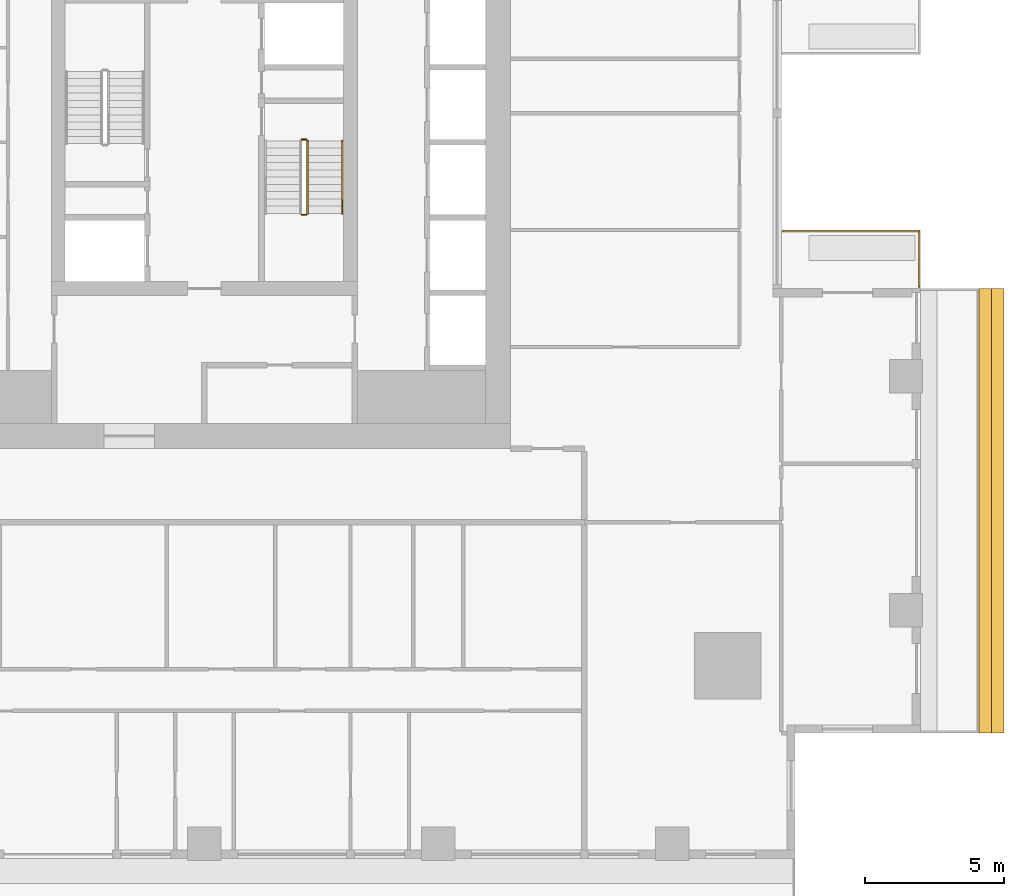
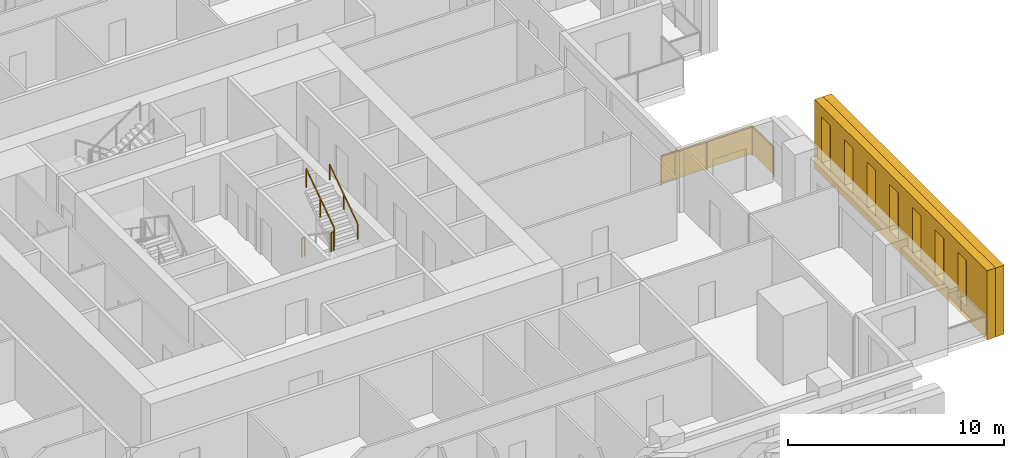
# One storey, part 13 of 15: 5 railings, 2 shading devices.
"""IFC4 building model written with IfcOpenShell, lengths in metres."""

from ifc_helpers import new_model, si_unit, direction, frame, origin, origin_2d, place, context, subcontext, project, spatial, polyline, rectangle, outline, extrude, material, type_object, element, save


model = new_model("IFC4")

# Units and contexts
model_context = context("Model", 3, precision=1e-05, world=origin(), true_north=direction((0.0, 1.0)))
body_context = subcontext(model_context, "Body", "Model", "MODEL_VIEW")
ifc_project = project(units=[si_unit("LENGTHUNIT", "METRE"), si_unit("AREAUNIT", "SQUARE_METRE"), si_unit("VOLUMEUNIT", "CUBIC_METRE"), si_unit("PLANEANGLEUNIT", "RADIAN"), si_unit("MASSUNIT", "GRAM", prefix="KILO")], contexts=[model_context])

# Site, building, storey
site_placement = place(None, origin())
site = spatial("IfcSite", under=ifc_project, at=site_placement, CompositionType="ELEMENT")
building_placement = place(site_placement, origin())
building = spatial("IfcBuilding", under=site, at=building_placement, Name="Khepri Terraces", CompositionType="ELEMENT")
storey_placement = place(building_placement, frame((0.0, 0.0, 196.199951171875)))
storey = spatial("IfcBuildingStorey", under=building, at=storey_placement, Name="L46", CompositionType="ELEMENT", Elevation=196.199951171875)

# Railings
ifc_material_1 = material(Name="Stainless steel grade 316", Category="steel")
railing_type_1 = type_object("IfcRailingType", Name="GRD-TERR-1700", PredefinedType="GUARDRAIL", material=ifc_material_1)
railing_1_placement = place(storey_placement, frame((20.7900390625, -3.199951171875, 0.0)))
element("IfcRailing", 1, at=railing_1_placement, inside=storey, type_object=railing_type_1, Name="Terrace guard L46", PredefinedType="GUARDRAIL", context=body_context, shape_type="SweptSolid", body=[
    extrude(rectangle(XDim=0.050048828125, YDim=0.06005859375, at=origin_2d()), frame((0.0, 0.0, 1.669921875), z_axis=(1.0, 0.0, 0.0), x_axis=(0.0, 1.0, 0.0)), (0.0, 0.0, 1.0), 4.8798828125),
    extrude(rectangle(XDim=2.389892578125, YDim=0.011962890625, at=origin_2d()), frame((1.219970703125, 0.0, 0.10009765625), z_axis=(0.0, 0.0, 1.0), x_axis=(1.0, 0.0, 0.0)), (0.0, 0.0, 1.0), 1.539794921875),
    extrude(rectangle(XDim=2.389892578125, YDim=0.011962890625, at=origin_2d()), frame((3.659912109375, 0.0, 0.10009765625), z_axis=(0.0, 0.0, 1.0), x_axis=(1.0, 0.0, 0.0)), (0.0, 0.0, 1.0), 1.539794921875),
    extrude(rectangle(XDim=0.050048828125, YDim=0.06005859375, at=origin_2d()), frame((4.8798828125, 0.0, 1.669921875), z_axis=(0.0, -1.0, 0.0), x_axis=(1.0, 0.0, 0.0)), (0.0, 0.0, 1.0), 1.97998046875),
    extrude(rectangle(XDim=1.929931640625, YDim=0.011962890625, at=origin_2d()), frame((4.8798828125, -0.989990234375, 0.10009765625), z_axis=(0.0, 0.0, 1.0), x_axis=(0.0, -1.0, 0.0)), (0.0, 0.0, 1.0), 1.539794921875),
    extrude(rectangle(XDim=0.050048828125, YDim=0.050048828125, at=origin_2d()), origin(), (0.0, 0.0, 1.0), 1.639892578125),
    extrude(rectangle(XDim=0.050048828125, YDim=0.050048828125, at=origin_2d()), frame((2.43994140625, 0.0, 0.0)), (0.0, 0.0, 1.0), 1.639892578125),
    extrude(rectangle(XDim=0.050048828125, YDim=0.050048828125, at=origin_2d()), frame((4.8798828125, 0.0, 0.0)), (0.0, 0.0, 1.0), 1.639892578125),
    extrude(rectangle(XDim=0.050048828125, YDim=0.050048828125, at=origin_2d()), frame((4.8798828125, -1.97998046875, 0.0)), (0.0, 0.0, 1.0), 1.639892578125),
])
ifc_material_2 = material(Name="Stainless steel 316", Category="steel")
railing_type_2 = type_object("IfcRailingType", Name="RL-CORE-GUARD", PredefinedType="GUARDRAIL", material=ifc_material_2)
railing_2_placement = place(storey_placement, frame((3.5, -2.60009765625, 1.949951171875)))
element("IfcRailing", 2, at=railing_2_placement, inside=storey, type_object=railing_type_2, Name="L46 ST-2 stair guard 2", PredefinedType="GUARDRAIL", context=body_context, shape_type="SweptSolid", body=[
    extrude(rectangle(XDim=0.050048828125, YDim=0.06005859375, at=origin_2d()), frame((0.0, 0.0, 1.070068359375), z_axis=(1.0, 0.0, 0.0), x_axis=(0.0, 1.0, 0.0)), (0.0, 0.0, 1.0), 0.14990234375),
    extrude(rectangle(XDim=0.050048828125, YDim=0.050048828125, at=origin_2d()), origin(), (0.0, 0.0, 1.0), 1.0400390625),
    extrude(rectangle(XDim=0.050048828125, YDim=0.050048828125, at=origin_2d()), frame((0.14990234375, 0.0, 0.0)), (0.0, 0.0, 1.0), 1.0400390625),
])
railing_3_placement = place(storey_placement, frame((3.699951171875, -2.550048828125, 2.12744140625)))
element("IfcRailing", 3, at=railing_3_placement, inside=storey, type_object=railing_type_2, Name="L46 ST-2 stair guard 3", PredefinedType="GUARDRAIL", context=body_context, shape_type="SweptSolid", body=[
    extrude(rectangle(XDim=0.050048828125, YDim=0.06005859375, at=origin_2d()), frame((0.0, 0.0, 1.070068359375), z_axis=(0.0, 0.826240473404, 0.563317565952), x_axis=(-1.0, 0.0, 0.0)), (0.0, 0.0, 1.0), 3.14697265625),
    extrude(rectangle(XDim=0.050048828125, YDim=0.050048828125, at=origin_2d()), origin(), (0.0, 0.0, 1.0), 1.0400390625),
    extrude(rectangle(XDim=0.050048828125, YDim=0.050048828125, at=origin_2d()), frame((0.0, 1.300048828125, 0.88623046875)), (0.0, 0.0, 1.0), 1.0400390625),
    extrude(rectangle(XDim=0.050048828125, YDim=0.050048828125, at=origin_2d()), frame((0.0, 2.60009765625, 1.772705078125)), (0.0, 0.0, 1.0), 1.0400390625),
])
railing_4_placement = place(storey_placement, frame((3.5, 0.10009765625, 0.0)))
element("IfcRailing", 4, at=railing_4_placement, inside=storey, type_object=railing_type_2, Name="L46 ST-2 stair guard 4", PredefinedType="GUARDRAIL", context=body_context, shape_type="SweptSolid", body=[
    extrude(rectangle(XDim=0.050048828125, YDim=0.06005859375, at=origin_2d()), frame((0.0, 0.0, 1.070068359375), z_axis=(1.0, 0.0, 0.0), x_axis=(0.0, 1.0, 0.0)), (0.0, 0.0, 1.0), 0.14990234375),
    extrude(rectangle(XDim=0.050048828125, YDim=0.050048828125, at=origin_2d()), origin(), (0.0, 0.0, 1.0), 1.0400390625),
    extrude(rectangle(XDim=0.050048828125, YDim=0.050048828125, at=origin_2d()), frame((0.14990234375, 0.0, 0.0)), (0.0, 0.0, 1.0), 1.0400390625),
])
railing_type_3 = type_object("IfcRailingType", Name="RL-CORE-HANDRAIL", PredefinedType="HANDRAIL", material=ifc_material_2)
railing_5_placement = place(storey_placement, frame((4.949951171875, -2.550048828125, 2.12744140625)))
element("IfcRailing", 5, at=railing_5_placement, inside=storey, type_object=railing_type_3, Name="L46 ST-2 stair handrail 2", PredefinedType="HANDRAIL", context=body_context, shape_type="SweptSolid", body=[
    extrude(rectangle(XDim=0.050048828125, YDim=0.050048828125, at=origin_2d()), frame((0.0, 0.0, 0.875), z_axis=(0.0, 0.826240473404, 0.563317565952), x_axis=(-1.0, 0.0, 0.0)), (0.0, 0.0, 1.0), 3.14697265625),
    extrude(rectangle(XDim=0.050048828125, YDim=0.050048828125, at=origin_2d()), origin(), (0.0, 0.0, 1.0), 0.849853515625),
    extrude(rectangle(XDim=0.050048828125, YDim=0.050048828125, at=origin_2d()), frame((0.0, 1.300048828125, 0.88623046875)), (0.0, 0.0, 1.0), 0.849853515625),
    extrude(rectangle(XDim=0.050048828125, YDim=0.050048828125, at=origin_2d()), frame((0.0, 2.60009765625, 1.772705078125)), (0.0, 0.0, 1.0), 0.849853515625),
])

# Shading devices
ifc_material_3 = material(Name="Precast concrete C50/60 warm stone", Category="masonry")
shading_device_type_1 = type_object("IfcShadingDeviceType", Name="SCR-CELL-INNER-450", PredefinedType="USERDEFINED", material=ifc_material_3)
shading_device_1_placement = place(storey_placement, frame((27.820068359375, -21.219970703125, -0.25), z_axis=(1.0, 0.0, 0.0), x_axis=(0.0, 1.0, 0.0)))
element("IfcShadingDevice", 6, at=shading_device_1_placement, inside=storey, type_object=shading_device_type_1, Name="Cell screen L46 E in", ObjectType="SCREEN", PredefinedType="USERDEFINED", context=body_context, shape_type="SweptSolid", body=[
    extrude(outline(polyline([(0.0, 0.0), (15.969970703125, 0.0), (15.969970703125, 3.89990234375), (0.0, 3.89990234375), (0.0, 0.0)]), holes=[polyline([(1.91845703125, 0.699951171875), (2.7216796875, 0.699951171875), (2.7216796875, 3.300048828125), (1.91845703125, 3.300048828125), (1.91845703125, 0.699951171875)]), polyline([(4.018310546875, 0.699951171875), (4.821533203125, 0.699951171875), (4.821533203125, 3.300048828125), (4.018310546875, 3.300048828125), (4.018310546875, 0.699951171875)]), polyline([(6.118408203125, 0.699951171875), (6.921630859375, 0.699951171875), (6.921630859375, 3.300048828125), (6.118408203125, 3.300048828125), (6.118408203125, 0.699951171875)]), polyline([(8.218505859375, 0.699951171875), (9.021484375, 0.699951171875), (9.021484375, 3.300048828125), (8.218505859375, 3.300048828125), (8.218505859375, 0.699951171875)]), polyline([(10.318359375, 0.699951171875), (11.12158203125, 0.699951171875), (11.12158203125, 3.300048828125), (10.318359375, 3.300048828125), (10.318359375, 0.699951171875)]), polyline([(12.41845703125, 0.699951171875), (13.2216796875, 0.699951171875), (13.2216796875, 3.300048828125), (12.41845703125, 3.300048828125), (12.41845703125, 0.699951171875)]), polyline([(14.518310546875, 0.699951171875), (15.321533203125, 0.699951171875), (15.321533203125, 3.300048828125), (14.518310546875, 3.300048828125), (14.518310546875, 0.699951171875)])]), origin(), (0.0, 0.0, 1.0), 0.449951171875),
])
shading_device_type_2 = type_object("IfcShadingDeviceType", Name="SCR-CELL-OUTER-450", PredefinedType="USERDEFINED", material=ifc_material_3)
shading_device_2_placement = place(storey_placement, frame((28.27001953125, -21.219970703125, -0.25), z_axis=(1.0, 0.0, 0.0), x_axis=(0.0, 1.0, 0.0)))
element("IfcShadingDevice", 7, at=shading_device_2_placement, inside=storey, type_object=shading_device_type_2, Name="Cell screen L46 E out", ObjectType="SCREEN", PredefinedType="USERDEFINED", context=body_context, shape_type="SweptSolid", body=[
    extrude(outline(polyline([(0.0, 0.0), (15.969970703125, 0.0), (15.969970703125, 3.89990234375), (0.0, 3.89990234375), (0.0, 0.0)]), holes=[polyline([(1.568359375, 0.449951171875), (3.071533203125, 0.449951171875), (3.071533203125, 3.550048828125), (1.568359375, 3.550048828125), (1.568359375, 0.449951171875)]), polyline([(3.66845703125, 0.449951171875), (5.171630859375, 0.449951171875), (5.171630859375, 3.550048828125), (3.66845703125, 3.550048828125), (3.66845703125, 0.449951171875)]), polyline([(5.768310546875, 0.449951171875), (7.271484375, 0.449951171875), (7.271484375, 3.550048828125), (5.768310546875, 3.550048828125), (5.768310546875, 0.449951171875)]), polyline([(7.868408203125, 0.449951171875), (9.37158203125, 0.449951171875), (9.37158203125, 3.550048828125), (7.868408203125, 3.550048828125), (7.868408203125, 0.449951171875)]), polyline([(9.968505859375, 0.449951171875), (11.4716796875, 0.449951171875), (11.4716796875, 3.550048828125), (9.968505859375, 3.550048828125), (9.968505859375, 0.449951171875)]), polyline([(12.068359375, 0.449951171875), (13.571533203125, 0.449951171875), (13.571533203125, 3.550048828125), (12.068359375, 3.550048828125), (12.068359375, 0.449951171875)]), polyline([(14.16845703125, 0.449951171875), (15.671630859375, 0.449951171875), (15.671630859375, 3.550048828125), (14.16845703125, 3.550048828125), (14.16845703125, 0.449951171875)])]), origin(), (0.0, 0.0, 1.0), 0.449951171875),
])

save(model, "model.ifc")
